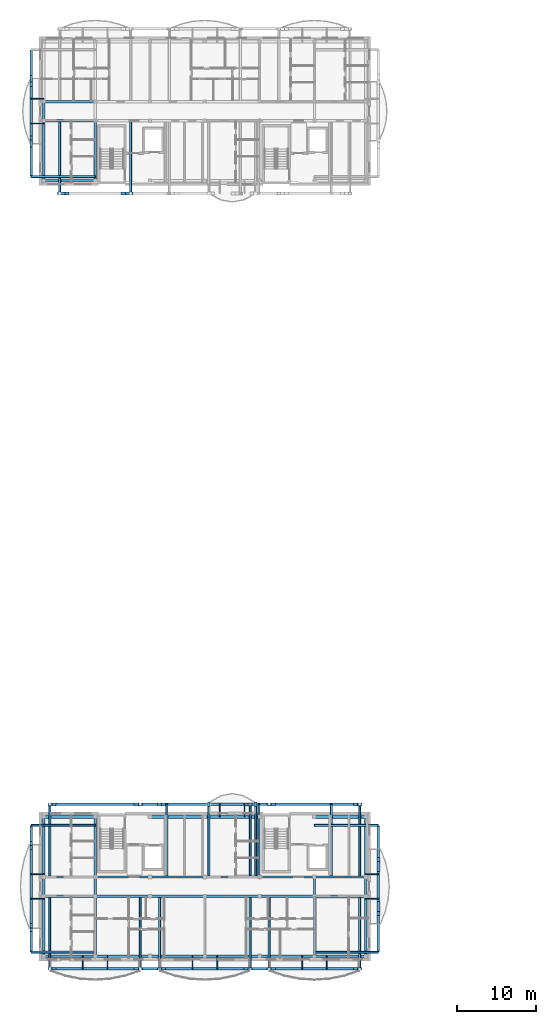
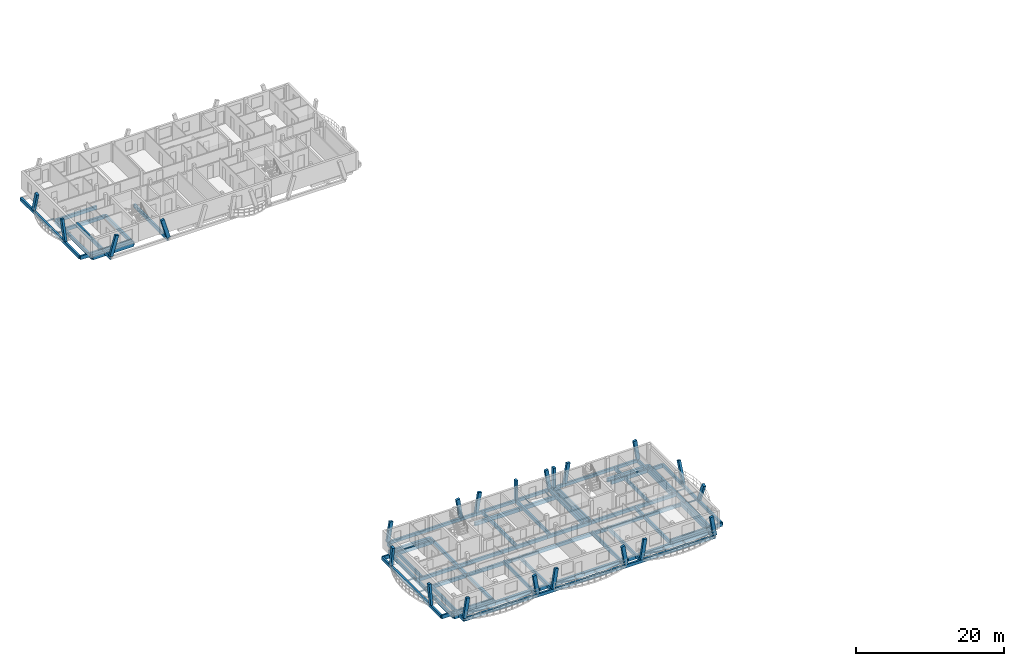
# One storey, part 3 of 29: 79 beams, 22 members.
"""IFC4 building model written with IfcOpenShell, lengths in metres."""

from ifc_helpers import new_model, si_unit, direction, frame, origin, origin_2d, place, context, subcontext, project, spatial, rectangle, i_section, extrude, material, material_profile, profile_set, type_object, element, save


model = new_model("IFC4")

# Units and contexts
model_context = context("Model", 3, precision=1e-05, world=origin(), true_north=direction((0.0, 1.0)))
body_context = subcontext(model_context, "Body", "Model", "MODEL_VIEW")
ifc_project = project(units=[si_unit("LENGTHUNIT", "METRE"), si_unit("AREAUNIT", "SQUARE_METRE"), si_unit("VOLUMEUNIT", "CUBIC_METRE"), si_unit("PLANEANGLEUNIT", "RADIAN"), si_unit("MASSUNIT", "GRAM", prefix="KILO")], contexts=[model_context])

# Site, building, storey
site_placement = place(None, origin())
site = spatial("IfcSite", under=ifc_project, at=site_placement, CompositionType="ELEMENT")
building_placement = place(site_placement, origin())
building = spatial("IfcBuilding", under=site, at=building_placement, Name="Zavelmont Quarter", CompositionType="ELEMENT")
storey_placement = place(building_placement, frame((0.0, 0.0, 33.60009765625)))
storey = spatial("IfcBuildingStorey", under=building, at=storey_placement, Name="L10", CompositionType="ELEMENT", Elevation=33.60009765625)

# Beams
ifc_material_1 = material(Name="Concrete C35/45", Category="concrete")
ifc_material_profile_1 = material_profile(ifc_material_1, rectangle(XDim=0.35009765625, YDim=0.60009765625, at=origin_2d()), Name="RC350X600")
ifc_profile_set_1 = profile_set([ifc_material_profile_1], Name="Concrete C35/45")
beam_type_1 = type_object("IfcBeamType", Name="BM01", PredefinedType="SPANDREL", material=ifc_profile_set_1)
beam_1_placement = place(storey_placement, frame((0.43994140625, 0.43994140625, -0.5400390625), z_axis=(1.0, 0.0, 0.0), x_axis=(0.0, 1.0, 0.0)))
element("IfcBeam", 1, at=beam_1_placement, inside=storey, type_object=beam_type_1, Name="L10 beam BM01 1/A to 2/A", PredefinedType="SPANDREL", context=body_context, shape_type="SweptSolid", body=[
    extrude(rectangle(XDim=0.35009765625, YDim=0.60009765625, at=origin_2d()), origin(), (0.0, 0.0, 1.0), 6.4599609375),
])
beam_2_placement = place(storey_placement, frame((6.89990234375, 0.43994140625, -0.5400390625), z_axis=(1.0, 0.0, 0.0), x_axis=(0.0, 1.0, 0.0)))
element("IfcBeam", 2, at=beam_2_placement, inside=storey, type_object=beam_type_1, Name="L10 beam BM01 2/A to 3/A", PredefinedType="SPANDREL", context=body_context, shape_type="SweptSolid", body=[
    extrude(rectangle(XDim=0.35009765625, YDim=0.60009765625, at=origin_2d()), origin(), (0.0, 0.0, 1.0), 6.900146484375),
])
beam_3_placement = place(storey_placement, frame((13.800048828125, 0.43994140625, -0.5400390625), z_axis=(1.0, 0.0, 0.0), x_axis=(0.0, 1.0, 0.0)))
element("IfcBeam", 3, at=beam_3_placement, inside=storey, type_object=beam_type_1, Name="L10 beam BM01 3/A to 4/A", PredefinedType="SPANDREL", context=body_context, shape_type="SweptSolid", body=[
    extrude(rectangle(XDim=0.35009765625, YDim=0.60009765625, at=origin_2d()), origin(), (0.0, 0.0, 1.0), 6.89990234375),
])
beam_4_placement = place(storey_placement, frame((20.699951171875, 0.43994140625, -0.5400390625), z_axis=(1.0, 0.0, 0.0), x_axis=(0.0, 1.0, 0.0)))
element("IfcBeam", 4, at=beam_4_placement, inside=storey, type_object=beam_type_1, Name="L10 beam BM01 4/A to 5/A", PredefinedType="SPANDREL", context=body_context, shape_type="SweptSolid", body=[
    extrude(rectangle(XDim=0.35009765625, YDim=0.60009765625, at=origin_2d()), origin(), (0.0, 0.0, 1.0), 6.900146484375),
])
beam_5_placement = place(storey_placement, frame((27.60009765625, 0.43994140625, -0.5400390625), z_axis=(1.0, 0.0, 0.0), x_axis=(0.0, 1.0, 0.0)))
element("IfcBeam", 5, at=beam_5_placement, inside=storey, type_object=beam_type_1, Name="L10 beam BM01 5/A to 6/A", PredefinedType="SPANDREL", context=body_context, shape_type="SweptSolid", body=[
    extrude(rectangle(XDim=0.35009765625, YDim=0.60009765625, at=origin_2d()), origin(), (0.0, 0.0, 1.0), 6.89990234375),
])
for number, where, z_axis, x_axis, name in (
    (6, (34.5, 0.43994140625, -0.5400390625), (1.0, 0.0, 0.0), (0.0, 1.0, 0.0), "L10 beam BM01 6/A to 7/A"),
    (7, (0.43994140625, 17.9599609375, -0.5400390625), (1.0, 0.0, 0.0), (0.0, 1.0, 0.0), "L10 beam BM01 1/D to 2/D"),
):
    element("IfcBeam", number, at=place(storey_placement, frame(where, z_axis=z_axis, x_axis=x_axis)), inside=storey, type_object=beam_type_1, Name=name, PredefinedType="SPANDREL", context=body_context, shape_type="SweptSolid", body=[
        extrude(rectangle(XDim=0.35009765625, YDim=0.60009765625, at=origin_2d()), origin(), (0.0, 0.0, 1.0), 6.4599609375),
    ])
beam_6_placement = place(storey_placement, frame((13.800048828125, 17.9599609375, -0.5400390625), z_axis=(1.0, 0.0, 0.0), x_axis=(0.0, 1.0, 0.0)))
element("IfcBeam", 8, at=beam_6_placement, inside=storey, type_object=beam_type_1, Name="L10 beam BM01 3/D to 4/D", PredefinedType="SPANDREL", context=body_context, shape_type="SweptSolid", body=[
    extrude(rectangle(XDim=0.35009765625, YDim=0.60009765625, at=origin_2d()), origin(), (0.0, 0.0, 1.0), 6.89990234375),
])
beam_7_placement = place(storey_placement, frame((20.699951171875, 17.9599609375, -0.5400390625), z_axis=(1.0, 0.0, 0.0), x_axis=(0.0, 1.0, 0.0)))
element("IfcBeam", 9, at=beam_7_placement, inside=storey, type_object=beam_type_1, Name="L10 beam BM01 4/D to 5/D", PredefinedType="SPANDREL", context=body_context, shape_type="SweptSolid", body=[
    extrude(rectangle(XDim=0.35009765625, YDim=0.60009765625, at=origin_2d()), origin(), (0.0, 0.0, 1.0), 6.900146484375),
])
for number, where, z_axis, x_axis, name in (
    (10, (34.5, 17.9599609375, -0.5400390625), (1.0, 0.0, 0.0), (0.0, 1.0, 0.0), "L10 beam BM01 6/D to 7/D"),
    (11, (0.43994140625, 98.0400390625, -0.5400390625), (1.0, 0.0, 0.0), (0.0, 1.0, 0.0), "L10 beam BM01 1/P to 2/P"),
):
    element("IfcBeam", number, at=place(storey_placement, frame(where, z_axis=z_axis, x_axis=x_axis)), inside=storey, type_object=beam_type_1, Name=name, PredefinedType="SPANDREL", context=body_context, shape_type="SweptSolid", body=[
        extrude(rectangle(XDim=0.35009765625, YDim=0.60009765625, at=origin_2d()), origin(), (0.0, 0.0, 1.0), 6.4599609375),
    ])
ifc_material_profile_2 = material_profile(ifc_material_1, rectangle(XDim=0.300048828125, YDim=0.550048828125, at=origin_2d()), Name="RC300X550")
ifc_profile_set_2 = profile_set([ifc_material_profile_2], Name="Concrete C35/45")
beam_type_2 = type_object("IfcBeamType", Name="BM02", PredefinedType="SPANDREL", material=ifc_profile_set_2)
beam_8_placement = place(storey_placement, frame((0.43994140625, 8.0, -0.51513671875), z_axis=(1.0, 0.0, 0.0), x_axis=(0.0, 1.0, 0.0)))
element("IfcBeam", 12, at=beam_8_placement, inside=storey, type_object=beam_type_2, Name="L10 beam BM02 1/B to 2/B", PredefinedType="SPANDREL", context=body_context, shape_type="SweptSolid", body=[
    extrude(rectangle(XDim=0.300048828125, YDim=0.550048828125, at=origin_2d()), origin(), (0.0, 0.0, 1.0), 6.4599609375),
])
beam_9_placement = place(storey_placement, frame((6.89990234375, 8.0, -0.51513671875), z_axis=(1.0, 0.0, 0.0), x_axis=(0.0, 1.0, 0.0)))
element("IfcBeam", 13, at=beam_9_placement, inside=storey, type_object=beam_type_2, Name="L10 beam BM02 2/B to 3/B", PredefinedType="SPANDREL", context=body_context, shape_type="SweptSolid", body=[
    extrude(rectangle(XDim=0.300048828125, YDim=0.550048828125, at=origin_2d()), origin(), (0.0, 0.0, 1.0), 6.900146484375),
])
beam_10_placement = place(storey_placement, frame((13.800048828125, 8.0, -0.51513671875), z_axis=(1.0, 0.0, 0.0), x_axis=(0.0, 1.0, 0.0)))
element("IfcBeam", 14, at=beam_10_placement, inside=storey, type_object=beam_type_2, Name="L10 beam BM02 3/B to 4/B", PredefinedType="SPANDREL", context=body_context, shape_type="SweptSolid", body=[
    extrude(rectangle(XDim=0.300048828125, YDim=0.550048828125, at=origin_2d()), origin(), (0.0, 0.0, 1.0), 6.89990234375),
])
beam_11_placement = place(storey_placement, frame((20.699951171875, 8.0, -0.51513671875), z_axis=(1.0, 0.0, 0.0), x_axis=(0.0, 1.0, 0.0)))
element("IfcBeam", 15, at=beam_11_placement, inside=storey, type_object=beam_type_2, Name="L10 beam BM02 4/B to 5/B", PredefinedType="SPANDREL", context=body_context, shape_type="SweptSolid", body=[
    extrude(rectangle(XDim=0.300048828125, YDim=0.550048828125, at=origin_2d()), origin(), (0.0, 0.0, 1.0), 6.900146484375),
])
beam_12_placement = place(storey_placement, frame((27.60009765625, 8.0, -0.51513671875), z_axis=(1.0, 0.0, 0.0), x_axis=(0.0, 1.0, 0.0)))
element("IfcBeam", 16, at=beam_12_placement, inside=storey, type_object=beam_type_2, Name="L10 beam BM02 5/B to 6/B", PredefinedType="SPANDREL", context=body_context, shape_type="SweptSolid", body=[
    extrude(rectangle(XDim=0.300048828125, YDim=0.550048828125, at=origin_2d()), origin(), (0.0, 0.0, 1.0), 6.89990234375),
])
for number, where, z_axis, x_axis, name in (
    (17, (34.5, 8.0, -0.51513671875), (1.0, 0.0, 0.0), (0.0, 1.0, 0.0), "L10 beam BM02 6/B to 7/B"),
    (18, (0.43994140625, 10.39990234375, -0.51513671875), (1.0, 0.0, 0.0), (0.0, 1.0, 0.0), "L10 beam BM02 1/C to 2/C"),
):
    element("IfcBeam", number, at=place(storey_placement, frame(where, z_axis=z_axis, x_axis=x_axis)), inside=storey, type_object=beam_type_2, Name=name, PredefinedType="SPANDREL", context=body_context, shape_type="SweptSolid", body=[
        extrude(rectangle(XDim=0.300048828125, YDim=0.550048828125, at=origin_2d()), origin(), (0.0, 0.0, 1.0), 6.4599609375),
    ])
beam_13_placement = place(storey_placement, frame((6.89990234375, 10.39990234375, -0.51513671875), z_axis=(1.0, 0.0, 0.0), x_axis=(0.0, 1.0, 0.0)))
element("IfcBeam", 19, at=beam_13_placement, inside=storey, type_object=beam_type_2, Name="L10 beam BM02 2/C to 3/C", PredefinedType="SPANDREL", context=body_context, shape_type="SweptSolid", body=[
    extrude(rectangle(XDim=0.300048828125, YDim=0.550048828125, at=origin_2d()), origin(), (0.0, 0.0, 1.0), 6.900146484375),
])
beam_14_placement = place(storey_placement, frame((13.800048828125, 10.39990234375, -0.51513671875), z_axis=(1.0, 0.0, 0.0), x_axis=(0.0, 1.0, 0.0)))
element("IfcBeam", 20, at=beam_14_placement, inside=storey, type_object=beam_type_2, Name="L10 beam BM02 3/C to 4/C", PredefinedType="SPANDREL", context=body_context, shape_type="SweptSolid", body=[
    extrude(rectangle(XDim=0.300048828125, YDim=0.550048828125, at=origin_2d()), origin(), (0.0, 0.0, 1.0), 6.89990234375),
])
beam_15_placement = place(storey_placement, frame((20.699951171875, 10.39990234375, -0.51513671875), z_axis=(1.0, 0.0, 0.0), x_axis=(0.0, 1.0, 0.0)))
element("IfcBeam", 21, at=beam_15_placement, inside=storey, type_object=beam_type_2, Name="L10 beam BM02 4/C to 5/C", PredefinedType="SPANDREL", context=body_context, shape_type="SweptSolid", body=[
    extrude(rectangle(XDim=0.300048828125, YDim=0.550048828125, at=origin_2d()), origin(), (0.0, 0.0, 1.0), 6.900146484375),
])
beam_16_placement = place(storey_placement, frame((27.60009765625, 10.39990234375, -0.51513671875), z_axis=(1.0, 0.0, 0.0), x_axis=(0.0, 1.0, 0.0)))
element("IfcBeam", 22, at=beam_16_placement, inside=storey, type_object=beam_type_2, Name="L10 beam BM02 5/C to 6/C", PredefinedType="SPANDREL", context=body_context, shape_type="SweptSolid", body=[
    extrude(rectangle(XDim=0.300048828125, YDim=0.550048828125, at=origin_2d()), origin(), (0.0, 0.0, 1.0), 6.89990234375),
])
beam_17_placement = place(storey_placement, frame((34.5, 10.39990234375, -0.51513671875), z_axis=(1.0, 0.0, 0.0), x_axis=(0.0, 1.0, 0.0)))
element("IfcBeam", 23, at=beam_17_placement, inside=storey, type_object=beam_type_2, Name="L10 beam BM02 6/C to 7/C", PredefinedType="SPANDREL", context=body_context, shape_type="SweptSolid", body=[
    extrude(rectangle(XDim=0.300048828125, YDim=0.550048828125, at=origin_2d()), origin(), (0.0, 0.0, 1.0), 6.4599609375),
])
beam_18_placement = place(storey_placement, frame((0.43994140625, 0.43994140625, -0.51513671875), z_axis=(0.0, 1.0, 0.0), x_axis=(-1.0, 0.0, 0.0)))
element("IfcBeam", 24, at=beam_18_placement, inside=storey, type_object=beam_type_2, Name="L10 beam BM02 1/A to 1/B", PredefinedType="SPANDREL", context=body_context, shape_type="SweptSolid", body=[
    extrude(rectangle(XDim=0.300048828125, YDim=0.550048828125, at=origin_2d()), origin(), (0.0, 0.0, 1.0), 7.56005859375),
])
beam_19_placement = place(storey_placement, frame((0.43994140625, 8.0, -0.51513671875), z_axis=(0.0, 1.0, 0.0), x_axis=(-1.0, 0.0, 0.0)))
element("IfcBeam", 25, at=beam_19_placement, inside=storey, type_object=beam_type_2, Name="L10 beam BM02 1/B to 1/C", PredefinedType="SPANDREL", context=body_context, shape_type="SweptSolid", body=[
    extrude(rectangle(XDim=0.300048828125, YDim=0.550048828125, at=origin_2d()), origin(), (0.0, 0.0, 1.0), 2.39990234375),
])
for number, where, z_axis, x_axis, name in (
    (26, (0.43994140625, 10.39990234375, -0.51513671875), (0.0, 1.0, 0.0), (-1.0, 0.0, 0.0), "L10 beam BM02 1/C to 1/D"),
    (27, (6.89990234375, 0.43994140625, -0.51513671875), (0.0, 1.0, 0.0), (-1.0, 0.0, 0.0), "L10 beam BM02 2/A to 2/B"),
):
    element("IfcBeam", number, at=place(storey_placement, frame(where, z_axis=z_axis, x_axis=x_axis)), inside=storey, type_object=beam_type_2, Name=name, PredefinedType="SPANDREL", context=body_context, shape_type="SweptSolid", body=[
        extrude(rectangle(XDim=0.300048828125, YDim=0.550048828125, at=origin_2d()), origin(), (0.0, 0.0, 1.0), 7.56005859375),
    ])
beam_20_placement = place(storey_placement, frame((6.89990234375, 8.0, -0.51513671875), z_axis=(0.0, 1.0, 0.0), x_axis=(-1.0, 0.0, 0.0)))
element("IfcBeam", 28, at=beam_20_placement, inside=storey, type_object=beam_type_2, Name="L10 beam BM02 2/B to 2/C", PredefinedType="SPANDREL", context=body_context, shape_type="SweptSolid", body=[
    extrude(rectangle(XDim=0.300048828125, YDim=0.550048828125, at=origin_2d()), origin(), (0.0, 0.0, 1.0), 2.39990234375),
])
for number, where, z_axis, x_axis, name in (
    (29, (6.89990234375, 10.39990234375, -0.51513671875), (0.0, 1.0, 0.0), (-1.0, 0.0, 0.0), "L10 beam BM02 2/C to 2/D"),
    (30, (34.5, 0.43994140625, -0.51513671875), (0.0, 1.0, 0.0), (-1.0, 0.0, 0.0), "L10 beam BM02 6/A to 6/B"),
):
    element("IfcBeam", number, at=place(storey_placement, frame(where, z_axis=z_axis, x_axis=x_axis)), inside=storey, type_object=beam_type_2, Name=name, PredefinedType="SPANDREL", context=body_context, shape_type="SweptSolid", body=[
        extrude(rectangle(XDim=0.300048828125, YDim=0.550048828125, at=origin_2d()), origin(), (0.0, 0.0, 1.0), 7.56005859375),
    ])
beam_21_placement = place(storey_placement, frame((34.5, 8.0, -0.51513671875), z_axis=(0.0, 1.0, 0.0), x_axis=(-1.0, 0.0, 0.0)))
element("IfcBeam", 31, at=beam_21_placement, inside=storey, type_object=beam_type_2, Name="L10 beam BM02 6/B to 6/C", PredefinedType="SPANDREL", context=body_context, shape_type="SweptSolid", body=[
    extrude(rectangle(XDim=0.300048828125, YDim=0.550048828125, at=origin_2d()), origin(), (0.0, 0.0, 1.0), 2.39990234375),
])
beam_22_placement = place(storey_placement, frame((40.9599609375, 0.43994140625, -0.51513671875), z_axis=(0.0, 1.0, 0.0), x_axis=(-1.0, 0.0, 0.0)))
element("IfcBeam", 32, at=beam_22_placement, inside=storey, type_object=beam_type_2, Name="L10 beam BM02 7/A to 7/B", PredefinedType="SPANDREL", context=body_context, shape_type="SweptSolid", body=[
    extrude(rectangle(XDim=0.300048828125, YDim=0.550048828125, at=origin_2d()), origin(), (0.0, 0.0, 1.0), 7.56005859375),
])
beam_23_placement = place(storey_placement, frame((40.9599609375, 8.0, -0.51513671875), z_axis=(0.0, 1.0, 0.0), x_axis=(-1.0, 0.0, 0.0)))
element("IfcBeam", 33, at=beam_23_placement, inside=storey, type_object=beam_type_2, Name="L10 beam BM02 7/B to 7/C", PredefinedType="SPANDREL", context=body_context, shape_type="SweptSolid", body=[
    extrude(rectangle(XDim=0.300048828125, YDim=0.550048828125, at=origin_2d()), origin(), (0.0, 0.0, 1.0), 2.39990234375),
])
beam_24_placement = place(storey_placement, frame((40.9599609375, 10.39990234375, -0.51513671875), z_axis=(0.0, 1.0, 0.0), x_axis=(-1.0, 0.0, 0.0)))
element("IfcBeam", 34, at=beam_24_placement, inside=storey, type_object=beam_type_2, Name="L10 beam BM02 7/C to 7/D", PredefinedType="SPANDREL", context=body_context, shape_type="SweptSolid", body=[
    extrude(rectangle(XDim=0.300048828125, YDim=0.550048828125, at=origin_2d()), origin(), (0.0, 0.0, 1.0), 7.56005859375),
])
for number, where, z_axis, x_axis, name in (
    (35, (0.43994140625, 105.60009765625, -0.51513671875), (1.0, 0.0, 0.0), (0.0, 1.0, 0.0), "L10 beam BM02 1/Q to 2/Q"),
    (36, (0.43994140625, 108.0, -0.51513671875), (1.0, 0.0, 0.0), (0.0, 1.0, 0.0), "L10 beam BM02 1/R to 2/R"),
):
    element("IfcBeam", number, at=place(storey_placement, frame(where, z_axis=z_axis, x_axis=x_axis)), inside=storey, type_object=beam_type_2, Name=name, PredefinedType="SPANDREL", context=body_context, shape_type="SweptSolid", body=[
        extrude(rectangle(XDim=0.300048828125, YDim=0.550048828125, at=origin_2d()), origin(), (0.0, 0.0, 1.0), 6.4599609375),
    ])
beam_25_placement = place(storey_placement, frame((0.43994140625, 98.0400390625, -0.51513671875), z_axis=(0.0, 1.0, 0.0), x_axis=(-1.0, 0.0, 0.0)))
element("IfcBeam", 37, at=beam_25_placement, inside=storey, type_object=beam_type_2, Name="L10 beam BM02 1/P to 1/Q", PredefinedType="SPANDREL", context=body_context, shape_type="SweptSolid", body=[
    extrude(rectangle(XDim=0.300048828125, YDim=0.550048828125, at=origin_2d()), origin(), (0.0, 0.0, 1.0), 7.56005859375),
])
beam_26_placement = place(storey_placement, frame((0.43994140625, 105.60009765625, -0.51513671875), z_axis=(0.0, 1.0, 0.0), x_axis=(-1.0, 0.0, 0.0)))
element("IfcBeam", 38, at=beam_26_placement, inside=storey, type_object=beam_type_2, Name="L10 beam BM02 1/Q to 1/R", PredefinedType="SPANDREL", context=body_context, shape_type="SweptSolid", body=[
    extrude(rectangle(XDim=0.300048828125, YDim=0.550048828125, at=origin_2d()), origin(), (0.0, 0.0, 1.0), 2.39990234375),
])
beam_27_placement = place(storey_placement, frame((6.89990234375, 98.0400390625, -0.51513671875), z_axis=(0.0, 1.0, 0.0), x_axis=(-1.0, 0.0, 0.0)))
element("IfcBeam", 39, at=beam_27_placement, inside=storey, type_object=beam_type_2, Name="L10 beam BM02 2/P to 2/Q", PredefinedType="SPANDREL", context=body_context, shape_type="SweptSolid", body=[
    extrude(rectangle(XDim=0.300048828125, YDim=0.550048828125, at=origin_2d()), origin(), (0.0, 0.0, 1.0), 7.56005859375),
])
ifc_material_profile_3 = material_profile(ifc_material_1, rectangle(XDim=0.300048828125, YDim=0.5, at=origin_2d()), Name="RC300X500")
ifc_profile_set_3 = profile_set([ifc_material_profile_3], Name="Concrete C35/45")
beam_type_3 = type_object("IfcBeamType", Name="BM03", PredefinedType="BEAM", material=ifc_profile_set_3)
for number, where, z_axis, x_axis, name in (
    (40, (1.205078125, -1.14990234375, -0.25), (1.0, 0.0, 0.0), (0.0, 1.0, 0.0), "L10 beam BM03 1/A to 7/A"),
    (41, (1.205078125, 19.550048828125, -0.25), (1.0, 0.0, 0.0), (0.0, 1.0, 0.0), "L10 beam BM03 1/D to 7/D"),
):
    element("IfcBeam", number, at=place(storey_placement, frame(where, z_axis=z_axis, x_axis=x_axis)), inside=storey, type_object=beam_type_3, Name=name, PredefinedType="BEAM", context=body_context, shape_type="SweptSolid", body=[
        extrude(rectangle(XDim=0.300048828125, YDim=0.5, at=origin_2d()), origin(), (0.0, 0.0, 1.0), 38.989990234375),
    ])
for number, where, z_axis, x_axis, name in (
    (42, (-1.14990234375, 0.949951171875, -0.25), (0.0, 1.0, 0.0), (-1.0, 0.0, 0.0), "L10 beam BM03 1/A to 1/D"),
    (43, (42.550048828125, 0.949951171875, -0.25), (0.0, 1.0, 0.0), (-1.0, 0.0, 0.0), "L10 beam BM03 7/A to 7/D"),
    (44, (-1.14990234375, 98.550048828125, -0.25), (0.0, 1.0, 0.0), (-1.0, 0.0, 0.0), "L10 beam BM03 1/P to 1/S"),
):
    element("IfcBeam", number, at=place(storey_placement, frame(where, z_axis=z_axis, x_axis=x_axis)), inside=storey, type_object=beam_type_3, Name=name, PredefinedType="BEAM", context=body_context, shape_type="SweptSolid", body=[
        extrude(rectangle(XDim=0.300048828125, YDim=0.5, at=origin_2d()), origin(), (0.0, 0.0, 1.0), 15.949951171875),
    ])
ifc_material_2 = material(Name="Steel S355", Category="steel")
ifc_material_profile_4 = material_profile(ifc_material_2, i_section(OverallWidth=0.110107421875, OverallDepth=0.219970703125, WebThickness=0.005859375, FlangeThickness=0.00927734375, at=origin_2d()), Name="IPE 220")
ifc_profile_set_4 = profile_set([ifc_material_profile_4], Name="Steel S355")
beam_type_4 = type_object("IfcBeamType", Name="BM15", PredefinedType="JOIST", material=ifc_profile_set_4)
for number, where, z_axis, x_axis, name in (
    (45, (5.35009765625, 0.43994140625, -0.35205078125), (0.0, -1.0, 0.0), (1.0, 0.0, 0.0), "L10 beam BM15 2/A to 2/A"),
    (46, (8.449951171875, 0.43994140625, -0.35205078125), (0.0, -1.0, 0.0), (1.0, 0.0, 0.0), "L10 beam BM15 2/A to 2/A"),
    (47, (19.14990234375, 0.43994140625, -0.3671875), (0.0, -1.0, 0.0), (1.0, 0.0, 0.0), "L10 beam BM15 4/A to 4/A"),
    (48, (22.25, 0.43994140625, -0.3671875), (0.0, -1.0, 0.0), (1.0, 0.0, 0.0), "L10 beam BM15 4/A to 4/A"),
    (49, (32.949951171875, 0.43994140625, -0.357177734375), (0.0, -1.0, 0.0), (1.0, 0.0, 0.0), "L10 beam BM15 6/A to 6/A"),
    (50, (36.050048828125, 0.43994140625, -0.357177734375), (0.0, -1.0, 0.0), (1.0, 0.0, 0.0), "L10 beam BM15 6/A to 6/A"),
    (51, (0.43994140625, 7.64990234375, -0.3671875), (-1.0, 0.0, 0.0), (0.0, -1.0, 0.0), "L10 beam BM15 1/B to 1/B"),
    (52, (0.43994140625, 10.75, -0.3671875), (-1.0, 0.0, 0.0), (0.0, -1.0, 0.0), "L10 beam BM15 1/C to 1/C"),
):
    element("IfcBeam", number, at=place(storey_placement, frame(where, z_axis=z_axis, x_axis=x_axis)), inside=storey, type_object=beam_type_4, Name=name, PredefinedType="JOIST", context=body_context, shape_type="SweptSolid", body=[
        extrude(i_section(OverallWidth=0.110107421875, OverallDepth=0.219970703125, WebThickness=0.005859375, FlangeThickness=0.00927734375, at=origin_2d()), origin(), (0.0, 0.0, 1.0), 1.58984375),
    ])
for number, where, z_axis, x_axis, name in (
    (53, (40.9599609375, 7.64990234375, -0.357177734375), (1.0, 0.0, 0.0), (0.0, 1.0, 0.0), "L10 beam BM15 7/B to 7/B"),
    (54, (40.9599609375, 10.75, -0.357177734375), (1.0, 0.0, 0.0), (0.0, 1.0, 0.0), "L10 beam BM15 7/C to 7/C"),
    (55, (22.60009765625, 17.9599609375, -0.35205078125), (0.0, 1.0, 0.0), (-1.0, 0.0, 0.0), "L10 beam BM15 4/D to 4/D"),
    (56, (25.699951171875, 17.9599609375, -0.35205078125), (0.0, 1.0, 0.0), (-1.0, 0.0, 0.0), "L10 beam BM15 5/D to 5/D"),
):
    element("IfcBeam", number, at=place(storey_placement, frame(where, z_axis=z_axis, x_axis=x_axis)), inside=storey, type_object=beam_type_4, Name=name, PredefinedType="JOIST", context=body_context, shape_type="SweptSolid", body=[
        extrude(i_section(OverallWidth=0.110107421875, OverallDepth=0.219970703125, WebThickness=0.005859375, FlangeThickness=0.00927734375, at=origin_2d()), origin(), (0.0, 0.0, 1.0), 1.590087890625),
    ])
for number, where, z_axis, x_axis, name in (
    (57, (0.43994140625, 105.25, -0.3671875), (-1.0, 0.0, 0.0), (0.0, -1.0, 0.0), "L10 beam BM15 1/Q to 1/Q"),
    (58, (0.43994140625, 108.35009765625, -0.3671875), (-1.0, 0.0, 0.0), (0.0, -1.0, 0.0), "L10 beam BM15 1/R to 1/R"),
):
    element("IfcBeam", number, at=place(storey_placement, frame(where, z_axis=z_axis, x_axis=x_axis)), inside=storey, type_object=beam_type_4, Name=name, PredefinedType="JOIST", context=body_context, shape_type="SweptSolid", body=[
        extrude(i_section(OverallWidth=0.110107421875, OverallDepth=0.219970703125, WebThickness=0.005859375, FlangeThickness=0.00927734375, at=origin_2d()), origin(), (0.0, 0.0, 1.0), 1.58984375),
    ])
ifc_material_3 = material(Name="Concrete C40/50", Category="concrete")
ifc_material_profile_5 = material_profile(ifc_material_3, rectangle(XDim=0.25, YDim=0.60009765625, at=origin_2d()), Name="RC250X600")
ifc_profile_set_5 = profile_set([ifc_material_profile_5], Name="Concrete C40/50")
beam_type_5 = type_object("IfcBeamType", Name="BM18", PredefinedType="BEAM", material=ifc_profile_set_5)
for number, where, z_axis, x_axis, name in (
    (59, (1.205322265625, 8.0, -0.300048828125), (0.0, -1.0, 0.0), (1.0, 0.0, 0.0), "L10 beam BM18 1/B to 1/A"),
    (60, (12.5947265625, 8.0, -0.300048828125), (0.0, -1.0, 0.0), (1.0, 0.0, 0.0), "L10 beam BM18 3/B to 3/A"),
    (61, (15.00537109375, 8.0, -0.300048828125), (0.0, -1.0, 0.0), (1.0, 0.0, 0.0), "L10 beam BM18 3/B to 3/A"),
    (62, (26.394775390625, 8.0, -0.300048828125), (0.0, -1.0, 0.0), (1.0, 0.0, 0.0), "L10 beam BM18 5/B to 5/A"),
    (63, (28.805419921875, 8.0, -0.300048828125), (0.0, -1.0, 0.0), (1.0, 0.0, 0.0), "L10 beam BM18 5/B to 5/A"),
    (64, (40.194580078125, 8.0, -0.300048828125), (0.0, -1.0, 0.0), (1.0, 0.0, 0.0), "L10 beam BM18 7/B to 7/A"),
):
    element("IfcBeam", number, at=place(storey_placement, frame(where, z_axis=z_axis, x_axis=x_axis)), inside=storey, type_object=beam_type_5, Name=name, PredefinedType="BEAM", context=body_context, shape_type="SweptSolid", body=[
        extrude(rectangle(XDim=0.25, YDim=0.60009765625, at=origin_2d()), origin(), (0.0, 0.0, 1.0), 9.14990234375),
    ])
for number, where, z_axis, x_axis, name in (
    (65, (1.205322265625, 10.39990234375, -0.300048828125), (0.0, 1.0, 0.0), (-1.0, 0.0, 0.0), "L10 beam BM18 1/C to 1/D"),
    (66, (15.925048828125, 10.39990234375, -0.300048828125), (0.0, 1.0, 0.0), (-1.0, 0.0, 0.0), "L10 beam BM18 3/C to 3/D"),
    (67, (26.394775390625, 10.39990234375, -0.300048828125), (0.0, 1.0, 0.0), (-1.0, 0.0, 0.0), "L10 beam BM18 5/C to 5/D"),
    (68, (27.5, 10.39990234375, -0.300048828125), (0.0, 1.0, 0.0), (-1.0, 0.0, 0.0), "L10 beam BM18 5/C to 5/D"),
    (69, (36.625, 10.39990234375, -0.300048828125), (0.0, 1.0, 0.0), (-1.0, 0.0, 0.0), "L10 beam BM18 6/C to 6/D"),
    (70, (40.194580078125, 10.39990234375, -0.300048828125), (0.0, 1.0, 0.0), (-1.0, 0.0, 0.0), "L10 beam BM18 7/C to 7/D"),
    (71, (21.199951171875, 10.39990234375, -0.300048828125), (0.0, 1.0, 0.0), (-1.0, 0.0, 0.0), "L10 beam BM18 4/C to 4/D"),
    (72, (27.10009765625, 10.39990234375, -0.300048828125), (0.0, 1.0, 0.0), (-1.0, 0.0, 0.0), "L10 beam BM18 5/C to 5/D"),
):
    element("IfcBeam", number, at=place(storey_placement, frame(where, z_axis=z_axis, x_axis=x_axis)), inside=storey, type_object=beam_type_5, Name=name, PredefinedType="BEAM", context=body_context, shape_type="SweptSolid", body=[
        extrude(rectangle(XDim=0.25, YDim=0.60009765625, at=origin_2d()), origin(), (0.0, 0.0, 1.0), 9.150146484375),
    ])
for number, where, z_axis, x_axis, name in (
    (73, (6.89990234375, 0.949951171875, -0.300048828125), (-1.0, 0.0, 0.0), (0.0, -1.0, 0.0), "L10 beam BM18 2/A to 1/A"),
    (74, (6.89990234375, 16.89990234375, -0.300048828125), (-1.0, 0.0, 0.0), (0.0, -1.0, 0.0), "L10 beam BM18 2/D to 1/D"),
):
    element("IfcBeam", number, at=place(storey_placement, frame(where, z_axis=z_axis, x_axis=x_axis)), inside=storey, type_object=beam_type_5, Name=name, PredefinedType="BEAM", context=body_context, shape_type="SweptSolid", body=[
        extrude(rectangle(XDim=0.25, YDim=0.60009765625, at=origin_2d()), origin(), (0.0, 0.0, 1.0), 8.0498046875),
    ])
for number, where, z_axis, x_axis, name in (
    (75, (34.5, 0.949951171875, -0.300048828125), (1.0, 0.0, 0.0), (0.0, 1.0, 0.0), "L10 beam BM18 6/A to 7/A"),
    (76, (34.5, 16.89990234375, -0.300048828125), (1.0, 0.0, 0.0), (0.0, 1.0, 0.0), "L10 beam BM18 6/D to 7/D"),
):
    element("IfcBeam", number, at=place(storey_placement, frame(where, z_axis=z_axis, x_axis=x_axis)), inside=storey, type_object=beam_type_5, Name=name, PredefinedType="BEAM", context=body_context, shape_type="SweptSolid", body=[
        extrude(rectangle(XDim=0.25, YDim=0.60009765625, at=origin_2d()), origin(), (0.0, 0.0, 1.0), 8.050048828125),
    ])
for number, where, z_axis, x_axis, name in (
    (77, (2.425537109375, 105.60009765625, -0.300048828125), (0.0, -1.0, 0.0), (1.0, 0.0, 0.0), "L10 beam BM18 1/Q to 1/P"),
    (78, (11.37451171875, 105.60009765625, -0.300048828125), (0.0, -1.0, 0.0), (1.0, 0.0, 0.0), "L10 beam BM18 3/Q to 3/P"),
):
    element("IfcBeam", number, at=place(storey_placement, frame(where, z_axis=z_axis, x_axis=x_axis)), inside=storey, type_object=beam_type_5, Name=name, PredefinedType="BEAM", context=body_context, shape_type="SweptSolid", body=[
        extrude(rectangle(XDim=0.25, YDim=0.60009765625, at=origin_2d()), origin(), (0.0, 0.0, 1.0), 9.150146484375),
    ])
beam_28_placement = place(storey_placement, frame((6.89990234375, 98.550048828125, -0.300048828125), z_axis=(-1.0, 0.0, 0.0), x_axis=(0.0, -1.0, 0.0)))
element("IfcBeam", 79, at=beam_28_placement, inside=storey, type_object=beam_type_5, Name="L10 beam BM18 2/P to 1/P", PredefinedType="BEAM", context=body_context, shape_type="SweptSolid", body=[
    extrude(rectangle(XDim=0.25, YDim=0.60009765625, at=origin_2d()), origin(), (0.0, 0.0, 1.0), 8.0498046875),
])

# Members
ifc_material_4 = material(Name="White architectural precast concrete C40/50", Category="concrete")
ifc_material_profile_6 = material_profile(ifc_material_4, rectangle(XDim=0.360107421875, YDim=0.5400390625, at=origin_2d()), Name="PCR280X420")
ifc_profile_set_6 = profile_set([ifc_material_profile_6], Name="White architectural precast concrete C40/50")
member_type = type_object("IfcMemberType", Name="VR02M", PredefinedType="CHORD", material=ifc_profile_set_6)
for number, where, z_axis, x_axis, name in (
    (80, (1.205322265625, -1.14990234375, 0.0), (0.157614369947, 0.0, 0.987500739436), (0.0, 1.0, 0.0), "L10 member VR02M 1/A to 1/A"),
    (81, (12.5947265625, -1.14990234375, 0.0), (-0.157614369947, 0.0, 0.987500739436), (0.0, -1.0, 0.0), "L10 member VR02M 3/A to 3/A"),
    (82, (15.00537109375, -1.14990234375, 0.0), (0.157614369947, 0.0, 0.987500739436), (0.0, 1.0, 0.0), "L10 member VR02M 3/A to 3/A"),
    (83, (26.394775390625, -1.14990234375, 0.0), (-0.157687838461, 0.0, 0.98748901037), (0.0, -1.0, 0.0), "L10 member VR02M 5/A to 5/A"),
    (84, (28.805419921875, -1.14990234375, 0.0), (0.157614369947, 0.0, 0.987500739436), (0.0, 1.0, 0.0), "L10 member VR02M 5/A to 5/A"),
    (85, (40.194580078125, -1.14990234375, 0.0), (-0.157614369947, 0.0, 0.987500739436), (0.0, -1.0, 0.0), "L10 member VR02M 7/A to 7/A"),
    (86, (1.205322265625, 19.550048828125, 0.0), (0.157614369947, 0.0, 0.987500739436), (0.0, 1.0, 0.0), "L10 member VR02M 1/D to 1/D"),
    (87, (12.5947265625, 19.550048828125, 0.0), (-0.157614369947, 0.0, 0.987500739436), (0.0, -1.0, 0.0), "L10 member VR02M 3/D to 3/D"),
    (88, (15.00537109375, 19.550048828125, 0.0), (0.157614369947, 0.0, 0.987500739436), (0.0, 1.0, 0.0), "L10 member VR02M 3/D to 3/D"),
    (89, (26.394775390625, 19.550048828125, 0.0), (-0.157687838461, 0.0, 0.98748901037), (0.0, -1.0, 0.0), "L10 member VR02M 5/D to 5/D"),
    (90, (28.805419921875, 19.550048828125, 0.0), (0.157614369947, 0.0, 0.987500739436), (0.0, 1.0, 0.0), "L10 member VR02M 5/D to 5/D"),
    (91, (40.194580078125, 19.550048828125, 0.0), (-0.157614369947, 0.0, 0.987500739436), (0.0, -1.0, 0.0), "L10 member VR02M 7/D to 7/D"),
):
    element("IfcMember", number, at=place(storey_placement, frame(where, z_axis=z_axis, x_axis=x_axis)), inside=storey, type_object=member_type, Name=name, PredefinedType="CHORD", context=body_context, shape_type="SweptSolid", body=[
        extrude(rectangle(XDim=0.360107421875, YDim=0.5400390625, at=origin_2d()), origin(), (0.0, 0.0, 1.0), 3.240478515625),
    ])
for number, where, z_axis, x_axis, name in (
    (92, (21.199951171875, 19.550048828125, 0.0), (0.0, 0.0, 1.0), (1.0, 0.0, 0.0), "L10 member VR02M 4/D to 4/D"),
    (93, (27.10009765625, 19.550048828125, 0.0), (0.0, 0.0, 1.0), (1.0, 0.0, 0.0), "L10 member VR02M 5/D to 5/D"),
):
    element("IfcMember", number, at=place(storey_placement, frame(where, z_axis=z_axis, x_axis=x_axis)), inside=storey, type_object=member_type, Name=name, PredefinedType="CHORD", context=body_context, shape_type="SweptSolid", body=[
        extrude(rectangle(XDim=0.360107421875, YDim=0.5400390625, at=origin_2d()), origin(), (0.0, 0.0, 1.0), 3.199951171875),
    ])
for number, where, z_axis, x_axis, name in (
    (94, (-1.14990234375, 3.8203125, 0.0), (0.0, 0.140353139689, 0.990101508018), (-1.0, 0.0, 0.0), "L10 member VR02M 1/A to 1/B"),
    (95, (-1.14990234375, 14.579833984375, 0.0), (0.0, -0.140353139689, 0.990101508018), (1.0, 0.0, 0.0), "L10 member VR02M 1/D to 1/C"),
):
    element("IfcMember", number, at=place(storey_placement, frame(where, z_axis=z_axis, x_axis=x_axis)), inside=storey, type_object=member_type, Name=name, PredefinedType="CHORD", context=body_context, shape_type="SweptSolid", body=[
        extrude(rectangle(XDim=0.360107421875, YDim=0.5400390625, at=origin_2d()), origin(), (0.0, 0.0, 1.0), 3.23193359375),
    ])
for number, where, z_axis, x_axis, name in (
    (96, (42.550048828125, 7.082763671875, 0.0), (0.0, -0.371402889746, 0.928471805435), (1.0, 0.0, 0.0), "L10 member VR02M 7/B to 7/B"),
    (97, (42.550048828125, 11.317138671875, 0.0), (0.0, 0.371463953812, 0.928447376548), (-1.0, 0.0, 0.0), "L10 member VR02M 7/C to 7/C"),
):
    element("IfcMember", number, at=place(storey_placement, frame(where, z_axis=z_axis, x_axis=x_axis)), inside=storey, type_object=member_type, Name=name, PredefinedType="CHORD", context=body_context, shape_type="SweptSolid", body=[
        extrude(rectangle(XDim=0.360107421875, YDim=0.5400390625, at=origin_2d()), origin(), (0.0, 0.0, 1.0), 3.446533203125),
    ])
for number, where, z_axis, x_axis, name in (
    (98, (2.425537109375, 96.449951171875, 0.0), (0.281559849531, 0.0, 0.959543668174), (0.0, 1.0, 0.0), "L10 member VR02M 1/P to 1/P"),
    (99, (11.37451171875, 96.449951171875, 0.0), (-0.281559849531, 0.0, 0.959543668174), (0.0, -1.0, 0.0), "L10 member VR02M 3/P to 3/P"),
):
    element("IfcMember", number, at=place(storey_placement, frame(where, z_axis=z_axis, x_axis=x_axis)), inside=storey, type_object=member_type, Name=name, PredefinedType="CHORD", context=body_context, shape_type="SweptSolid", body=[
        extrude(rectangle(XDim=0.360107421875, YDim=0.5400390625, at=origin_2d()), origin(), (0.0, 0.0, 1.0), 3.3349609375),
    ])
for number, where, z_axis, x_axis, name in (
    (100, (-1.14990234375, 102.55078125, 0.0), (0.0, 0.262045658156, 0.965055476665), (-1.0, 0.0, 0.0), "L10 member VR02M 1/Q to 1/Q"),
    (101, (-1.14990234375, 111.04931640625, 0.0), (0.0, -0.262045658156, 0.965055476665), (1.0, 0.0, 0.0), "L10 member VR02M 1/R to 1/R"),
):
    element("IfcMember", number, at=place(storey_placement, frame(where, z_axis=z_axis, x_axis=x_axis)), inside=storey, type_object=member_type, Name=name, PredefinedType="CHORD", context=body_context, shape_type="SweptSolid", body=[
        extrude(rectangle(XDim=0.360107421875, YDim=0.5400390625, at=origin_2d()), origin(), (0.0, 0.0, 1.0), 3.31591796875),
    ])

save(model, "model.ifc")
